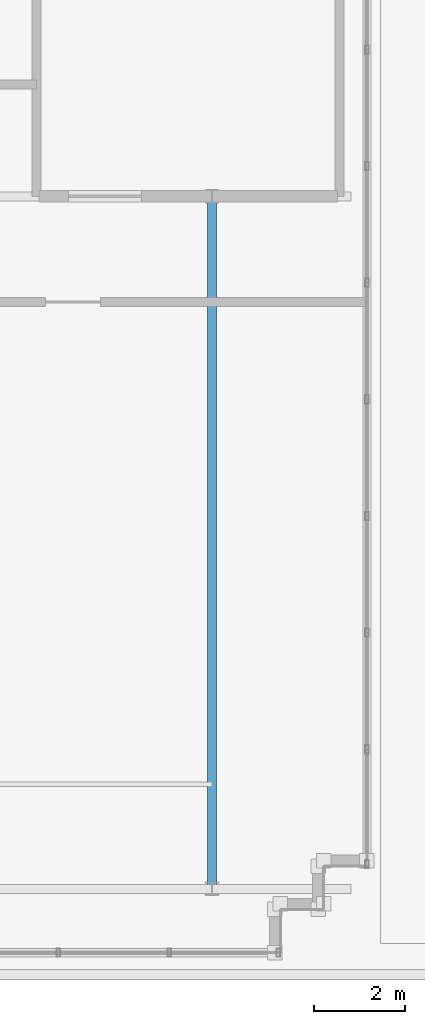
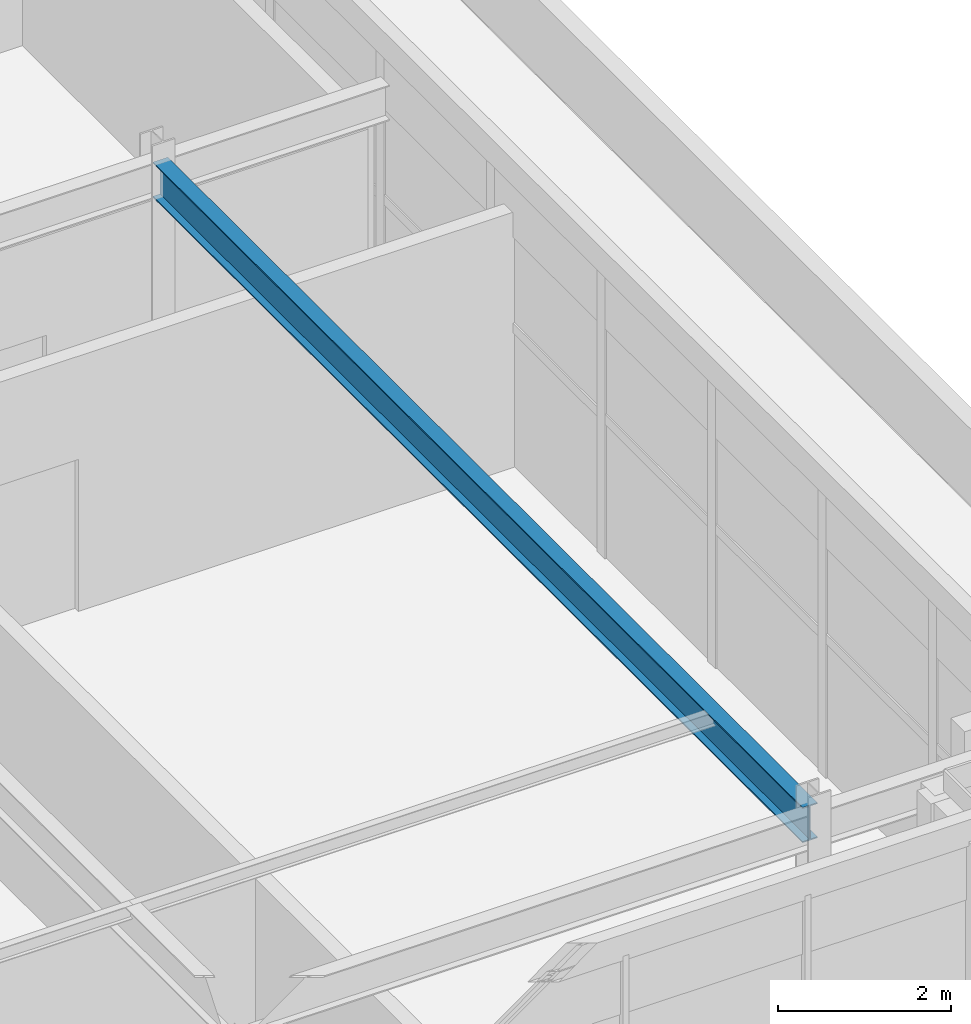
# One storey, part 6 of 28: 1 beam.
"""IFC4 building model written with IfcOpenShell, lengths in metres."""

from ifc_helpers import new_model, si_unit, direction, frame, origin, origin_2d, place, context, subcontext, project, spatial, i_section, extrude, source, transform, mapped, material, material_profile, profile_set, type_object, element, save


model = new_model("IFC4")

# Units and contexts
model_context = context("Model", 3, precision=1e-05, world=origin(), true_north=direction((0.0, 1.0)))
body_context = subcontext(model_context, "Body", "Model", "MODEL_VIEW")
ifc_project = project(units=[si_unit("LENGTHUNIT", "METRE"), si_unit("AREAUNIT", "SQUARE_METRE"), si_unit("VOLUMEUNIT", "CUBIC_METRE"), si_unit("PLANEANGLEUNIT", "RADIAN"), si_unit("MASSUNIT", "GRAM", prefix="KILO")], contexts=[model_context])

# Site, building, storey
site_placement = place(None, origin())
site = spatial("IfcSite", under=ifc_project, at=site_placement, CompositionType="ELEMENT")
building_placement = place(site_placement, origin())
building = spatial("IfcBuilding", under=site, at=building_placement, Name="Trelvane Seafront Commons", CompositionType="ELEMENT")
storey_placement = place(building_placement, frame((0.0, 0.0, 312.300048828125)))
storey = spatial("IfcBuildingStorey", under=building, at=storey_placement, Name="L81", CompositionType="ELEMENT", Elevation=312.300048828125)

# Beam
ifc_material = material(Name="Steel SM355 (S355)", Category="steel")
ifc_material_profile = material_profile(ifc_material, i_section(OverallWidth=0.199951171875, OverallDepth=0.5, WebThickness=0.010009765625, FlangeThickness=0.01611328125, at=origin_2d()), Name="H-500x200x10x16")
ifc_profile_set = profile_set([ifc_material_profile], Name="Steel SM355 (S355)")
beam_type = type_object("IfcBeamType", Name="STR-BM-H500", PredefinedType="BEAM", material=ifc_profile_set)
shared_shape = source(origin(), body_context, "Body", "SweptSolid", [
    extrude(i_section(OverallWidth=0.199951171875, OverallDepth=0.5, WebThickness=0.010009765625, FlangeThickness=0.01611328125, at=origin_2d()), origin(), (0.0, 0.0, 1.0), 15.050048828125),
])
beam_placement = place(storey_placement, frame((23.39990234375, 18.27490234375, 3.85986328125), z_axis=(0.0, 1.0, 0.0), x_axis=(-1.0, 0.0, 0.0)))
element("IfcBeam", 1, at=beam_placement, inside=storey, type_object=beam_type, Name="L81 Primary Girder G-17", PredefinedType="BEAM", context=body_context, shape_type="MappedRepresentation", body=[
    mapped(shared_shape, transform((0.0, 0.0, 0.0), x_axis=(1.0, 0.0, 0.0), y_axis=(0.0, 1.0, 0.0), z_axis=(0.0, 0.0, 1.0), scale=1.0)),
])

save(model, "model.ifc")
